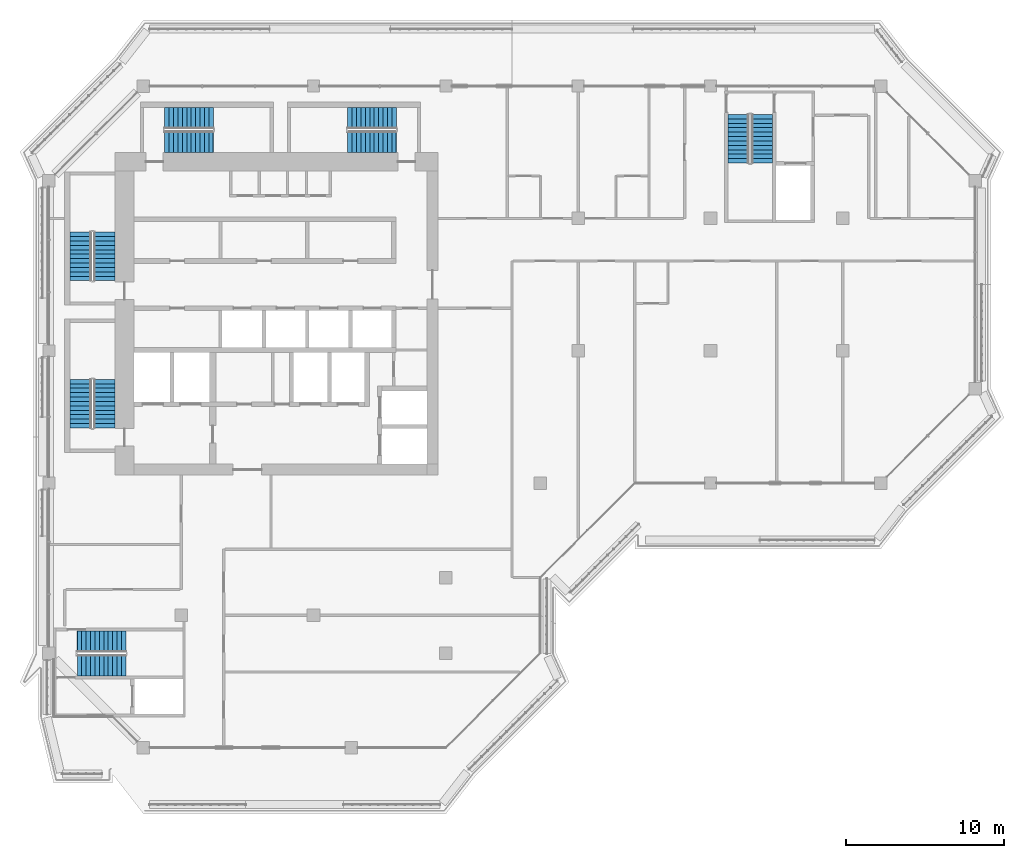
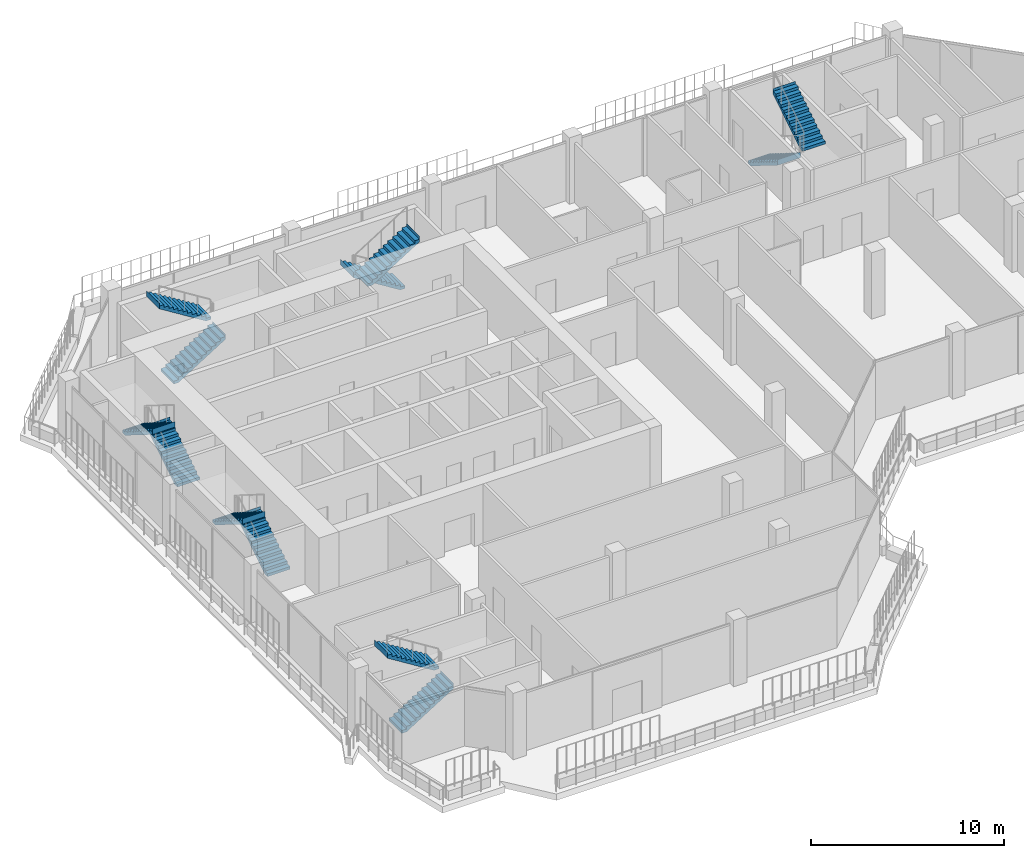
# One storey, part 13 of 20: 12 stair flights, 6 elements without a shape of their own.
"""IFC4 building model written with IfcOpenShell, lengths in metres."""

from ifc_helpers import new_model, si_unit, direction, frame, origin, place, context, subcontext, project, spatial, polyline, outline, extrude, material, type_object, element, aggregate, save


model = new_model("IFC4")

# Units and contexts
model_context = context("Model", 3, precision=1e-05, world=origin(), true_north=direction((0.0, 1.0)))
body_context = subcontext(model_context, "Body", "Model", "MODEL_VIEW")
ifc_project = project(units=[si_unit("LENGTHUNIT", "METRE"), si_unit("AREAUNIT", "SQUARE_METRE"), si_unit("VOLUMEUNIT", "CUBIC_METRE"), si_unit("PLANEANGLEUNIT", "RADIAN"), si_unit("MASSUNIT", "GRAM", prefix="KILO")], contexts=[model_context])

# Site, building, storey
site_placement = place(None, origin())
site = spatial("IfcSite", under=ifc_project, at=site_placement, CompositionType="ELEMENT")
building_placement = place(site_placement, origin())
building = spatial("IfcBuilding", under=site, at=building_placement, Name="Kawkab Arch Medical Tower", CompositionType="ELEMENT")
storey_placement = place(building_placement, frame((0.0, 0.0, 328.0)))
storey = spatial("IfcBuildingStorey", under=building, at=storey_placement, Name="L76", CompositionType="ELEMENT", Elevation=328.0)

# Stair, stair flights
ifc_material_1 = material(Name="Concrete C40/50", Category="concrete")
stair_type = type_object("IfcStairType", Name="Exit stair 1350", PredefinedType="HALF_TURN_STAIR", material=ifc_material_1)
placement = place(storey_placement, origin())
stair_1 = element("IfcStair", 1, at=placement, inside=storey, type_object=stair_type, Name="L76 Exit stair ST1", PredefinedType="HALF_TURN_STAIR")
ifc_material_2 = material(Name="Concrete C40/50", Category="concrete")
stair_flight_type = type_object("IfcStairFlightType", Name="Exit stair flight 1350", PredefinedType="STRAIGHT", material=ifc_material_2)
stair_flight_1_placement = place(storey_placement, frame((3.52490234375, -12.35009765625, 0.0), z_axis=(0.0, 0.0, 1.0), x_axis=(0.0, 1.0, 0.0)))
stair_flight_1 = element("IfcStairFlight", 2, at=stair_flight_1_placement, type_object=stair_flight_type, Name="ST1 flight 1", NumberOfRisers=12, NumberOfTreads=11, PredefinedType="STRAIGHT", RiserHeight=0.175, TreadLength=0.28, context=body_context, shape_type="SweptSolid", body=[
    extrude(outline(polyline([(-0.0029296875, 0.0), (-0.0029296875, 0.175048828125), (0.0, 0.175048828125), (0.280029296875, 0.175048828125), (0.280029296875, 0.35009765625), (0.56005859375, 0.35009765625), (0.56005859375, 0.52490234375), (0.840087890625, 0.52490234375), (0.840087890625, 0.699951171875), (1.1201171875, 0.699951171875), (1.1201171875, 0.875), (1.39990234375, 0.875), (1.39990234375, 1.050048828125), (1.679931640625, 1.050048828125), (1.679931640625, 1.22509765625), (1.9599609375, 1.22509765625), (1.9599609375, 1.39990234375), (2.239990234375, 1.39990234375), (2.239990234375, 1.574951171875), (2.52001953125, 1.574951171875), (2.52001953125, 1.75), (2.800048828125, 1.75), (2.800048828125, 1.925048828125), (3.080078125, 1.925048828125), (3.080078125, 2.10009765625), (3.0830078125, 2.10009765625), (3.0830078125, 1.748291015625), (3.080078125, 1.748291015625), (0.28271484375, 0.0), (-0.0029296875, 0.0)])), frame((0.0, 0.675048828125, 0.0), z_axis=(0.0, -1.0, 0.0), x_axis=(1.0, 0.0, 0.0)), (0.0, 0.0, 1.0), 1.35009765625),
])
stair_flight_2_placement = place(storey_placement, frame((2.02490234375, -9.27001953125, 2.10009765625), z_axis=(0.0, 0.0, 1.0), x_axis=(0.0, -1.0, 0.0)))
stair_flight_2 = element("IfcStairFlight", 3, at=stair_flight_2_placement, type_object=stair_flight_type, Name="ST1 flight 2", NumberOfRisers=12, NumberOfTreads=11, PredefinedType="STRAIGHT", RiserHeight=0.175, TreadLength=0.28, context=body_context, shape_type="SweptSolid", body=[
    extrude(outline(polyline([(-0.0029296875, 0.0), (-0.0029296875, 0.175048828125), (0.0, 0.175048828125), (0.280029296875, 0.175048828125), (0.280029296875, 0.35009765625), (0.56005859375, 0.35009765625), (0.56005859375, 0.52490234375), (0.840087890625, 0.52490234375), (0.840087890625, 0.699951171875), (1.1201171875, 0.699951171875), (1.1201171875, 0.875), (1.39990234375, 0.875), (1.39990234375, 1.050048828125), (1.679931640625, 1.050048828125), (1.679931640625, 1.22509765625), (1.9599609375, 1.22509765625), (1.9599609375, 1.39990234375), (2.239990234375, 1.39990234375), (2.239990234375, 1.574951171875), (2.52001953125, 1.574951171875), (2.52001953125, 1.75), (2.800048828125, 1.75), (2.800048828125, 1.925048828125), (3.080078125, 1.925048828125), (3.080078125, 2.10009765625), (3.0830078125, 2.10009765625), (3.0830078125, 1.748291015625), (3.080078125, 1.748291015625), (0.28271484375, 0.0), (-0.0029296875, 0.0)])), frame((0.0, 0.675048828125, 0.0), z_axis=(0.0, -1.0, 0.0), x_axis=(1.0, 0.0, 0.0)), (0.0, 0.0, 1.0), 1.35009765625),
])
aggregate(stair_1, [stair_flight_1, stair_flight_2])

stair_2 = element("IfcStair", 4, at=placement, inside=storey, type_object=stair_type, Name="L76 Exit stair ST2", PredefinedType="HALF_TURN_STAIR")
stair_flight_3_placement = place(storey_placement, frame((3.52490234375, -21.699951171875, 0.0), z_axis=(0.0, 0.0, 1.0), x_axis=(0.0, 1.0, 0.0)))
stair_flight_3 = element("IfcStairFlight", 5, at=stair_flight_3_placement, type_object=stair_flight_type, Name="ST2 flight 1", NumberOfRisers=12, NumberOfTreads=11, PredefinedType="STRAIGHT", RiserHeight=0.175, TreadLength=0.28, context=body_context, shape_type="SweptSolid", body=[
    extrude(outline(polyline([(-0.0029296875, 0.0), (-0.0029296875, 0.175048828125), (0.0, 0.175048828125), (0.280029296875, 0.175048828125), (0.280029296875, 0.35009765625), (0.56005859375, 0.35009765625), (0.56005859375, 0.52490234375), (0.840087890625, 0.52490234375), (0.840087890625, 0.699951171875), (1.1201171875, 0.699951171875), (1.1201171875, 0.875), (1.39990234375, 0.875), (1.39990234375, 1.050048828125), (1.679931640625, 1.050048828125), (1.679931640625, 1.22509765625), (1.9599609375, 1.22509765625), (1.9599609375, 1.39990234375), (2.239990234375, 1.39990234375), (2.239990234375, 1.574951171875), (2.52001953125, 1.574951171875), (2.52001953125, 1.75), (2.800048828125, 1.75), (2.800048828125, 1.925048828125), (3.080078125, 1.925048828125), (3.080078125, 2.10009765625), (3.0830078125, 2.10009765625), (3.0830078125, 1.748291015625), (3.080078125, 1.748291015625), (0.28271484375, 0.0), (-0.0029296875, 0.0)])), frame((0.0, 0.675048828125, 0.0), z_axis=(0.0, -1.0, 0.0), x_axis=(1.0, 0.0, 0.0)), (0.0, 0.0, 1.0), 1.35009765625),
])
stair_flight_4_placement = place(storey_placement, frame((2.02490234375, -18.6201171875, 2.10009765625), z_axis=(0.0, 0.0, 1.0), x_axis=(0.0, -1.0, 0.0)))
stair_flight_4 = element("IfcStairFlight", 6, at=stair_flight_4_placement, type_object=stair_flight_type, Name="ST2 flight 2", NumberOfRisers=12, NumberOfTreads=11, PredefinedType="STRAIGHT", RiserHeight=0.175, TreadLength=0.28, context=body_context, shape_type="SweptSolid", body=[
    extrude(outline(polyline([(-0.0029296875, 0.0), (-0.0029296875, 0.175048828125), (0.0, 0.175048828125), (0.280029296875, 0.175048828125), (0.280029296875, 0.35009765625), (0.56005859375, 0.35009765625), (0.56005859375, 0.52490234375), (0.840087890625, 0.52490234375), (0.840087890625, 0.699951171875), (1.1201171875, 0.699951171875), (1.1201171875, 0.875), (1.39990234375, 0.875), (1.39990234375, 1.050048828125), (1.679931640625, 1.050048828125), (1.679931640625, 1.22509765625), (1.9599609375, 1.22509765625), (1.9599609375, 1.39990234375), (2.239990234375, 1.39990234375), (2.239990234375, 1.574951171875), (2.52001953125, 1.574951171875), (2.52001953125, 1.75), (2.800048828125, 1.75), (2.800048828125, 1.925048828125), (3.080078125, 1.925048828125), (3.080078125, 2.10009765625), (3.0830078125, 2.10009765625), (3.0830078125, 1.748291015625), (3.080078125, 1.748291015625), (0.28271484375, 0.0), (-0.0029296875, 0.0)])), frame((0.0, 0.675048828125, 0.0), z_axis=(0.0, -1.0, 0.0), x_axis=(1.0, 0.0, 0.0)), (0.0, 0.0, 1.0), 1.35009765625),
])
aggregate(stair_2, [stair_flight_3, stair_flight_4])

stair_3 = element("IfcStair", 7, at=placement, inside=storey, type_object=stair_type, Name="L76 Exit stair ST3", PredefinedType="HALF_TURN_STAIR")
stair_flight_5_placement = place(storey_placement, frame((7.35009765625, -3.52490234375, 0.0), z_axis=(0.0, 0.0, 1.0), x_axis=(1.0, 0.0, 0.0)))
stair_flight_5 = element("IfcStairFlight", 8, at=stair_flight_5_placement, type_object=stair_flight_type, Name="ST3 flight 1", NumberOfRisers=12, NumberOfTreads=11, PredefinedType="STRAIGHT", RiserHeight=0.175, TreadLength=0.28, context=body_context, shape_type="SweptSolid", body=[
    extrude(outline(polyline([(-0.0029296875, 0.0), (-0.0029296875, 0.175048828125), (0.0, 0.175048828125), (0.280029296875, 0.175048828125), (0.280029296875, 0.35009765625), (0.56005859375, 0.35009765625), (0.56005859375, 0.52490234375), (0.840087890625, 0.52490234375), (0.840087890625, 0.699951171875), (1.1201171875, 0.699951171875), (1.1201171875, 0.875), (1.39990234375, 0.875), (1.39990234375, 1.050048828125), (1.679931640625, 1.050048828125), (1.679931640625, 1.22509765625), (1.9599609375, 1.22509765625), (1.9599609375, 1.39990234375), (2.239990234375, 1.39990234375), (2.239990234375, 1.574951171875), (2.52001953125, 1.574951171875), (2.52001953125, 1.75), (2.800048828125, 1.75), (2.800048828125, 1.925048828125), (3.080078125, 1.925048828125), (3.080078125, 2.10009765625), (3.0830078125, 2.10009765625), (3.0830078125, 1.748291015625), (3.080078125, 1.748291015625), (0.28271484375, 0.0), (-0.0029296875, 0.0)])), frame((0.0, 0.675048828125, 0.0), z_axis=(0.0, -1.0, 0.0), x_axis=(1.0, 0.0, 0.0)), (0.0, 0.0, 1.0), 1.35009765625),
])
stair_flight_6_placement = place(storey_placement, frame((10.429931640625, -2.02490234375, 2.10009765625), z_axis=(0.0, 0.0, 1.0), x_axis=(-1.0, 0.0, 0.0)))
stair_flight_6 = element("IfcStairFlight", 9, at=stair_flight_6_placement, type_object=stair_flight_type, Name="ST3 flight 2", NumberOfRisers=12, NumberOfTreads=11, PredefinedType="STRAIGHT", RiserHeight=0.175, TreadLength=0.28, context=body_context, shape_type="SweptSolid", body=[
    extrude(outline(polyline([(-0.0029296875, 0.0), (-0.0029296875, 0.175048828125), (0.0, 0.175048828125), (0.280029296875, 0.175048828125), (0.280029296875, 0.35009765625), (0.56005859375, 0.35009765625), (0.56005859375, 0.52490234375), (0.840087890625, 0.52490234375), (0.840087890625, 0.699951171875), (1.1201171875, 0.699951171875), (1.1201171875, 0.875), (1.39990234375, 0.875), (1.39990234375, 1.050048828125), (1.679931640625, 1.050048828125), (1.679931640625, 1.22509765625), (1.9599609375, 1.22509765625), (1.9599609375, 1.39990234375), (2.239990234375, 1.39990234375), (2.239990234375, 1.574951171875), (2.52001953125, 1.574951171875), (2.52001953125, 1.75), (2.800048828125, 1.75), (2.800048828125, 1.925048828125), (3.080078125, 1.925048828125), (3.080078125, 2.10009765625), (3.0830078125, 2.10009765625), (3.0830078125, 1.748291015625), (3.080078125, 1.748291015625), (0.28271484375, 0.0), (-0.0029296875, 0.0)])), frame((0.0, 0.675048828125, 0.0), z_axis=(0.0, -1.0, 0.0), x_axis=(1.0, 0.0, 0.0)), (0.0, 0.0, 1.0), 1.35009765625),
])
aggregate(stair_3, [stair_flight_5, stair_flight_6])

stair_4 = element("IfcStair", 10, at=placement, inside=storey, type_object=stair_type, Name="L76 Exit stair ST4", PredefinedType="HALF_TURN_STAIR")
stair_flight_7_placement = place(storey_placement, frame((22.050048828125, -2.02490234375, 0.0), z_axis=(0.0, 0.0, 1.0), x_axis=(-1.0, 0.0, 0.0)))
stair_flight_7 = element("IfcStairFlight", 11, at=stair_flight_7_placement, type_object=stair_flight_type, Name="ST4 flight 1", NumberOfRisers=12, NumberOfTreads=11, PredefinedType="STRAIGHT", RiserHeight=0.175, TreadLength=0.28, context=body_context, shape_type="SweptSolid", body=[
    extrude(outline(polyline([(-0.0029296875, 0.0), (-0.0029296875, 0.175048828125), (0.0, 0.175048828125), (0.280029296875, 0.175048828125), (0.280029296875, 0.35009765625), (0.56005859375, 0.35009765625), (0.56005859375, 0.52490234375), (0.840087890625, 0.52490234375), (0.840087890625, 0.699951171875), (1.1201171875, 0.699951171875), (1.1201171875, 0.875), (1.39990234375, 0.875), (1.39990234375, 1.050048828125), (1.679931640625, 1.050048828125), (1.679931640625, 1.22509765625), (1.9599609375, 1.22509765625), (1.9599609375, 1.39990234375), (2.239990234375, 1.39990234375), (2.239990234375, 1.574951171875), (2.52001953125, 1.574951171875), (2.52001953125, 1.75), (2.800048828125, 1.75), (2.800048828125, 1.925048828125), (3.080078125, 1.925048828125), (3.080078125, 2.10009765625), (3.0830078125, 2.10009765625), (3.0830078125, 1.748291015625), (3.080078125, 1.748291015625), (0.28271484375, 0.0), (-0.0029296875, 0.0)])), frame((0.0, 0.675048828125, 0.0), z_axis=(0.0, -1.0, 0.0), x_axis=(1.0, 0.0, 0.0)), (0.0, 0.0, 1.0), 1.35009765625),
])
stair_flight_8_placement = place(storey_placement, frame((18.969970703125, -3.52490234375, 2.10009765625), z_axis=(0.0, 0.0, 1.0), x_axis=(1.0, 0.0, 0.0)))
stair_flight_8 = element("IfcStairFlight", 12, at=stair_flight_8_placement, type_object=stair_flight_type, Name="ST4 flight 2", NumberOfRisers=12, NumberOfTreads=11, PredefinedType="STRAIGHT", RiserHeight=0.175, TreadLength=0.28, context=body_context, shape_type="SweptSolid", body=[
    extrude(outline(polyline([(-0.0029296875, 0.0), (-0.0029296875, 0.175048828125), (0.0, 0.175048828125), (0.280029296875, 0.175048828125), (0.280029296875, 0.35009765625), (0.56005859375, 0.35009765625), (0.56005859375, 0.52490234375), (0.840087890625, 0.52490234375), (0.840087890625, 0.699951171875), (1.1201171875, 0.699951171875), (1.1201171875, 0.875), (1.39990234375, 0.875), (1.39990234375, 1.050048828125), (1.679931640625, 1.050048828125), (1.679931640625, 1.22509765625), (1.9599609375, 1.22509765625), (1.9599609375, 1.39990234375), (2.239990234375, 1.39990234375), (2.239990234375, 1.574951171875), (2.52001953125, 1.574951171875), (2.52001953125, 1.75), (2.800048828125, 1.75), (2.800048828125, 1.925048828125), (3.080078125, 1.925048828125), (3.080078125, 2.10009765625), (3.0830078125, 2.10009765625), (3.0830078125, 1.748291015625), (3.080078125, 1.748291015625), (0.28271484375, 0.0), (-0.0029296875, 0.0)])), frame((0.0, 0.675048828125, 0.0), z_axis=(0.0, -1.0, 0.0), x_axis=(1.0, 0.0, 0.0)), (0.0, 0.0, 1.0), 1.35009765625),
])
aggregate(stair_4, [stair_flight_7, stair_flight_8])

stair_5 = element("IfcStair", 13, at=placement, inside=storey, type_object=stair_type, Name="L76 Exit stair ST5", PredefinedType="HALF_TURN_STAIR")
stair_flight_9_placement = place(storey_placement, frame((43.77490234375, -1.800048828125, 0.0), z_axis=(0.0, 0.0, 1.0), x_axis=(0.0, -1.0, 0.0)))
stair_flight_9 = element("IfcStairFlight", 14, at=stair_flight_9_placement, type_object=stair_flight_type, Name="ST5 flight 1", NumberOfRisers=12, NumberOfTreads=11, PredefinedType="STRAIGHT", RiserHeight=0.175, TreadLength=0.28, context=body_context, shape_type="SweptSolid", body=[
    extrude(outline(polyline([(-0.0029296875, 0.0), (-0.0029296875, 0.175048828125), (0.0, 0.175048828125), (0.280029296875, 0.175048828125), (0.280029296875, 0.35009765625), (0.56005859375, 0.35009765625), (0.56005859375, 0.52490234375), (0.840087890625, 0.52490234375), (0.840087890625, 0.699951171875), (1.1201171875, 0.699951171875), (1.1201171875, 0.875), (1.39990234375, 0.875), (1.39990234375, 1.050048828125), (1.679931640625, 1.050048828125), (1.679931640625, 1.22509765625), (1.9599609375, 1.22509765625), (1.9599609375, 1.39990234375), (2.239990234375, 1.39990234375), (2.239990234375, 1.574951171875), (2.52001953125, 1.574951171875), (2.52001953125, 1.75), (2.800048828125, 1.75), (2.800048828125, 1.925048828125), (3.080078125, 1.925048828125), (3.080078125, 2.10009765625), (3.0830078125, 2.10009765625), (3.0830078125, 1.748291015625), (3.080078125, 1.748291015625), (0.28271484375, 0.0), (-0.0029296875, 0.0)])), frame((0.0, 0.675048828125, 0.0), z_axis=(0.0, -1.0, 0.0), x_axis=(1.0, 0.0, 0.0)), (0.0, 0.0, 1.0), 1.35009765625),
])
stair_flight_10_placement = place(storey_placement, frame((45.27490234375, -4.8798828125, 2.10009765625), z_axis=(0.0, 0.0, 1.0), x_axis=(0.0, 1.0, 0.0)))
stair_flight_10 = element("IfcStairFlight", 15, at=stair_flight_10_placement, type_object=stair_flight_type, Name="ST5 flight 2", NumberOfRisers=12, NumberOfTreads=11, PredefinedType="STRAIGHT", RiserHeight=0.175, TreadLength=0.28, context=body_context, shape_type="SweptSolid", body=[
    extrude(outline(polyline([(-0.0029296875, 0.0), (-0.0029296875, 0.175048828125), (0.0, 0.175048828125), (0.280029296875, 0.175048828125), (0.280029296875, 0.35009765625), (0.56005859375, 0.35009765625), (0.56005859375, 0.52490234375), (0.840087890625, 0.52490234375), (0.840087890625, 0.699951171875), (1.1201171875, 0.699951171875), (1.1201171875, 0.875), (1.39990234375, 0.875), (1.39990234375, 1.050048828125), (1.679931640625, 1.050048828125), (1.679931640625, 1.22509765625), (1.9599609375, 1.22509765625), (1.9599609375, 1.39990234375), (2.239990234375, 1.39990234375), (2.239990234375, 1.574951171875), (2.52001953125, 1.574951171875), (2.52001953125, 1.75), (2.800048828125, 1.75), (2.800048828125, 1.925048828125), (3.080078125, 1.925048828125), (3.080078125, 2.10009765625), (3.0830078125, 2.10009765625), (3.0830078125, 1.748291015625), (3.080078125, 1.748291015625), (0.28271484375, 0.0), (-0.0029296875, 0.0)])), frame((0.0, 0.675048828125, 0.0), z_axis=(0.0, -1.0, 0.0), x_axis=(1.0, 0.0, 0.0)), (0.0, 0.0, 1.0), 1.35009765625),
])
aggregate(stair_5, [stair_flight_9, stair_flight_10])

stair_6 = element("IfcStair", 16, at=placement, inside=storey, type_object=stair_type, Name="L76 Exit stair ST6", PredefinedType="HALF_TURN_STAIR")
stair_flight_11_placement = place(storey_placement, frame((1.800048828125, -36.77490234375, 0.0), z_axis=(0.0, 0.0, 1.0), x_axis=(1.0, 0.0, 0.0)))
stair_flight_11 = element("IfcStairFlight", 17, at=stair_flight_11_placement, type_object=stair_flight_type, Name="ST6 flight 1", NumberOfRisers=12, NumberOfTreads=11, PredefinedType="STRAIGHT", RiserHeight=0.175, TreadLength=0.28, context=body_context, shape_type="SweptSolid", body=[
    extrude(outline(polyline([(-0.0029296875, 0.0), (-0.0029296875, 0.175048828125), (0.0, 0.175048828125), (0.280029296875, 0.175048828125), (0.280029296875, 0.35009765625), (0.56005859375, 0.35009765625), (0.56005859375, 0.52490234375), (0.840087890625, 0.52490234375), (0.840087890625, 0.699951171875), (1.1201171875, 0.699951171875), (1.1201171875, 0.875), (1.39990234375, 0.875), (1.39990234375, 1.050048828125), (1.679931640625, 1.050048828125), (1.679931640625, 1.22509765625), (1.9599609375, 1.22509765625), (1.9599609375, 1.39990234375), (2.239990234375, 1.39990234375), (2.239990234375, 1.574951171875), (2.52001953125, 1.574951171875), (2.52001953125, 1.75), (2.800048828125, 1.75), (2.800048828125, 1.925048828125), (3.080078125, 1.925048828125), (3.080078125, 2.10009765625), (3.0830078125, 2.10009765625), (3.0830078125, 1.748291015625), (3.080078125, 1.748291015625), (0.28271484375, 0.0), (-0.0029296875, 0.0)])), frame((0.0, 0.675048828125, 0.0), z_axis=(0.0, -1.0, 0.0), x_axis=(1.0, 0.0, 0.0)), (0.0, 0.0, 1.0), 1.35009765625),
])
stair_flight_12_placement = place(storey_placement, frame((4.8798828125, -35.27490234375, 2.10009765625), z_axis=(0.0, 0.0, 1.0), x_axis=(-1.0, 0.0, 0.0)))
stair_flight_12 = element("IfcStairFlight", 18, at=stair_flight_12_placement, type_object=stair_flight_type, Name="ST6 flight 2", NumberOfRisers=12, NumberOfTreads=11, PredefinedType="STRAIGHT", RiserHeight=0.175, TreadLength=0.28, context=body_context, shape_type="SweptSolid", body=[
    extrude(outline(polyline([(-0.0029296875, 0.0), (-0.0029296875, 0.175048828125), (0.0, 0.175048828125), (0.280029296875, 0.175048828125), (0.280029296875, 0.35009765625), (0.56005859375, 0.35009765625), (0.56005859375, 0.52490234375), (0.840087890625, 0.52490234375), (0.840087890625, 0.699951171875), (1.1201171875, 0.699951171875), (1.1201171875, 0.875), (1.39990234375, 0.875), (1.39990234375, 1.050048828125), (1.679931640625, 1.050048828125), (1.679931640625, 1.22509765625), (1.9599609375, 1.22509765625), (1.9599609375, 1.39990234375), (2.239990234375, 1.39990234375), (2.239990234375, 1.574951171875), (2.52001953125, 1.574951171875), (2.52001953125, 1.75), (2.800048828125, 1.75), (2.800048828125, 1.925048828125), (3.080078125, 1.925048828125), (3.080078125, 2.10009765625), (3.0830078125, 2.10009765625), (3.0830078125, 1.748291015625), (3.080078125, 1.748291015625), (0.28271484375, 0.0), (-0.0029296875, 0.0)])), frame((0.0, 0.675048828125, 0.0), z_axis=(0.0, -1.0, 0.0), x_axis=(1.0, 0.0, 0.0)), (0.0, 0.0, 1.0), 1.35009765625),
])
aggregate(stair_6, [stair_flight_11, stair_flight_12])

save(model, "model.ifc")
